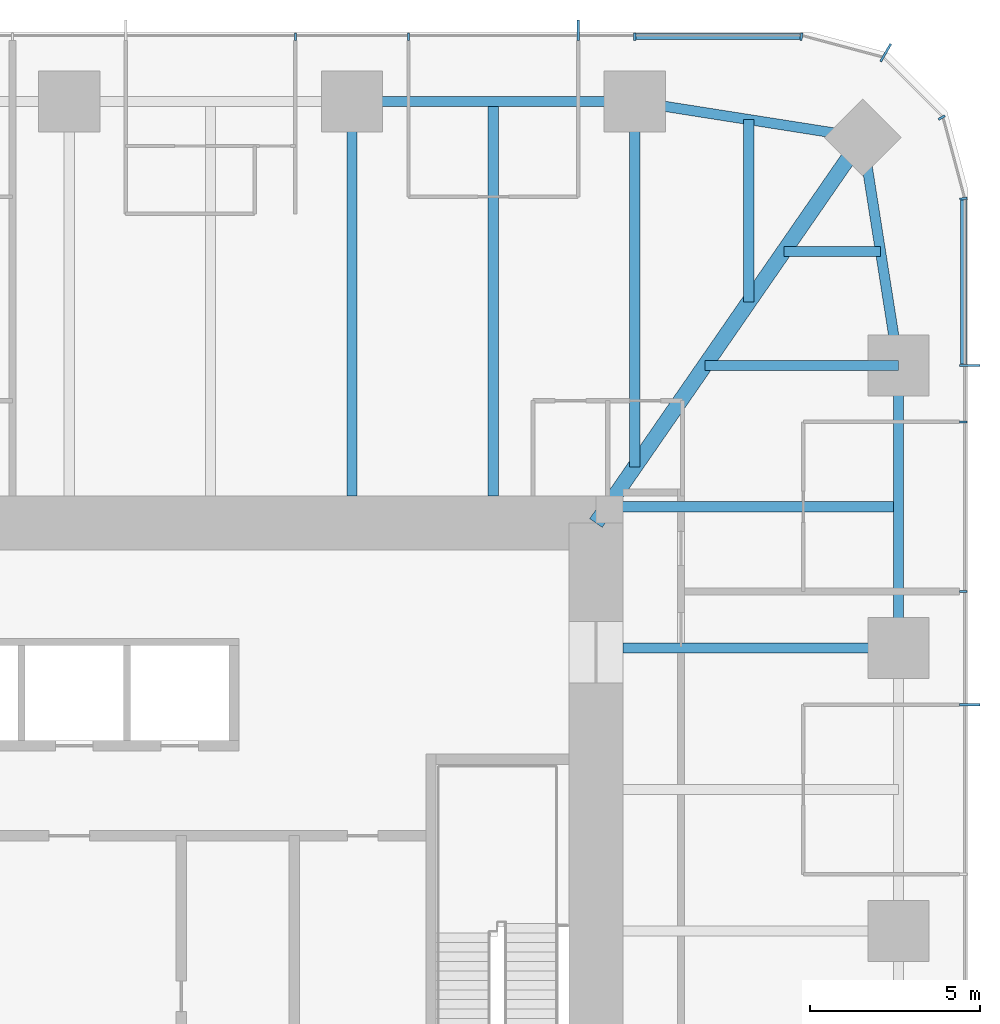
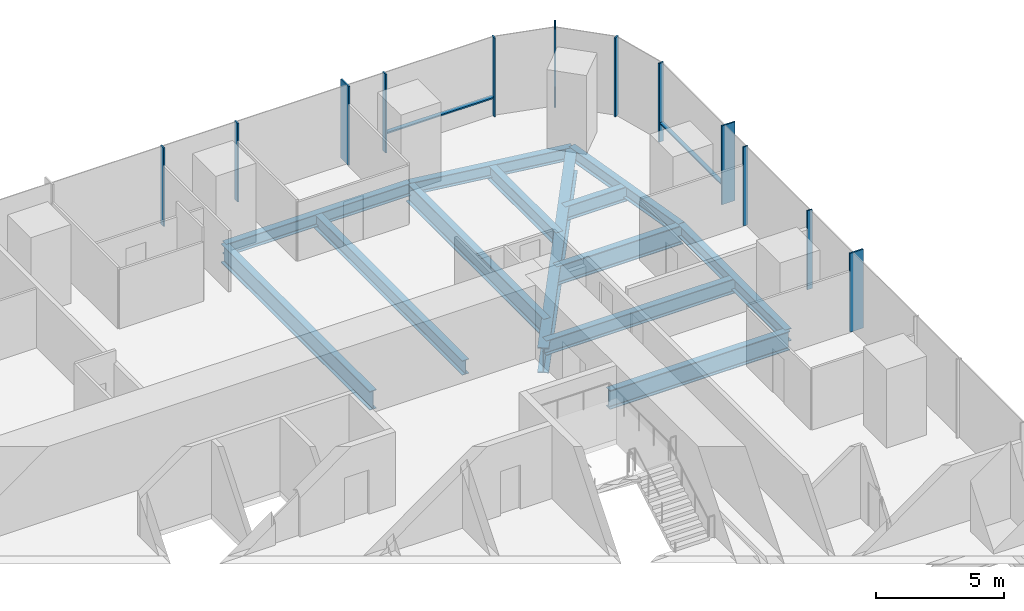
# One storey, part 6 of 12: 14 members, 13 beams, 3 elements without a shape of their own.
"""IFC4 building model written with IfcOpenShell, lengths in metres."""

from ifc_helpers import new_model, si_unit, direction, frame, origin, origin_2d, place, context, subcontext, project, spatial, rectangle, i_section, extrude, material, material_profile, profile_set, type_object, element, aggregate, save


model = new_model("IFC4")

# Units and contexts
model_context = context("Model", 3, precision=1e-05, world=origin(), true_north=direction((0.0, 1.0)))
body_context = subcontext(model_context, "Body", "Model", "MODEL_VIEW")
ifc_project = project(units=[si_unit("LENGTHUNIT", "METRE"), si_unit("AREAUNIT", "SQUARE_METRE"), si_unit("VOLUMEUNIT", "CUBIC_METRE"), si_unit("PLANEANGLEUNIT", "RADIAN"), si_unit("MASSUNIT", "GRAM", prefix="KILO")], contexts=[model_context])

# Site, building, storey
site_placement = place(None, origin())
site = spatial("IfcSite", under=ifc_project, at=site_placement, CompositionType="ELEMENT")
building_placement = place(site_placement, origin())
building = spatial("IfcBuilding", under=site, at=building_placement, Name="Khuree Lantern Residences", CompositionType="ELEMENT")
storey_placement = place(building_placement, frame((0.0, 0.0, 214.5)))
storey = spatial("IfcBuildingStorey", under=building, at=storey_placement, Name="L53", CompositionType="ELEMENT", Elevation=214.5)

# Beams
ifc_material_1 = material(Name="Steel S355", Category="steel")
ifc_material_profile_1 = material_profile(ifc_material_1, i_section(OverallWidth=0.300048828125, OverallDepth=0.68994140625, WebThickness=0.014404296875, FlangeThickness=0.027099609375, FilletRadius=0.027099609375, at=origin_2d()), Name="HE 700 A")
ifc_profile_set_1 = profile_set([ifc_material_profile_1], Name="Steel S355")
beam_type_1 = type_object("IfcBeamType", Name="B-32 SECONDARY BEAM HE 700 A", PredefinedType="BEAM", material=ifc_profile_set_1)
beam_1_placement = place(storey_placement, frame((12.47998046875, 24.39990234375, -0.594970703125), z_axis=(0.0, -1.0, 0.0), x_axis=(1.0, 0.0, 0.0)))
element("IfcBeam", 1, at=beam_1_placement, inside=storey, type_object=beam_type_1, Name="Secondary beam N4", PredefinedType="BEAM", context=body_context, shape_type="SweptSolid", body=[
    extrude(i_section(OverallWidth=0.300048828125, OverallDepth=0.68994140625, WebThickness=0.014404296875, FlangeThickness=0.027099609375, FilletRadius=0.027099609375, at=origin_2d()), origin(), (0.0, 0.0, 1.0), 11.599853515625),
])
beam_2_placement = place(storey_placement, frame((19.992919921875, 23.872802734375, -0.594970703125), z_axis=(0.0, -1.0, 0.0), x_axis=(1.0, 0.0, 0.0)))
element("IfcBeam", 2, at=beam_2_placement, inside=storey, type_object=beam_type_1, Name="Secondary beam N5", PredefinedType="BEAM", context=body_context, shape_type="SweptSolid", body=[
    extrude(i_section(OverallWidth=0.300048828125, OverallDepth=0.68994140625, WebThickness=0.014404296875, FlangeThickness=0.027099609375, FilletRadius=0.027099609375, at=origin_2d()), origin(), (0.0, 0.0, 1.0), 5.375732421875),
])
beam_3_placement = place(storey_placement, frame((23.872802734375, 19.992919921875, -0.594970703125), z_axis=(-1.0, 0.0, 0.0), x_axis=(0.0, -1.0, 0.0)))
element("IfcBeam", 3, at=beam_3_placement, inside=storey, type_object=beam_type_1, Name="Secondary beam E1", PredefinedType="BEAM", context=body_context, shape_type="SweptSolid", body=[
    extrude(i_section(OverallWidth=0.300048828125, OverallDepth=0.68994140625, WebThickness=0.014404296875, FlangeThickness=0.027099609375, FilletRadius=0.027099609375, at=origin_2d()), origin(), (0.0, 0.0, 1.0), 2.845703125),
])
beam_4_placement = place(storey_placement, frame((24.39990234375, 12.47998046875, -0.594970703125), z_axis=(-1.0, 0.0, 0.0), x_axis=(0.0, -1.0, 0.0)))
element("IfcBeam", 4, at=beam_4_placement, inside=storey, type_object=beam_type_1, Name="Secondary beam E2", PredefinedType="BEAM", context=body_context, shape_type="SweptSolid", body=[
    extrude(i_section(OverallWidth=0.300048828125, OverallDepth=0.68994140625, WebThickness=0.014404296875, FlangeThickness=0.027099609375, FilletRadius=0.027099609375, at=origin_2d()), origin(), (0.0, 0.0, 1.0), 8.56787109375),
])
ifc_material_profile_2 = material_profile(ifc_material_1, i_section(OverallWidth=0.300048828125, OverallDepth=0.590087890625, WebThickness=0.012939453125, FlangeThickness=0.02490234375, FilletRadius=0.027099609375, at=origin_2d()), Name="HE 600 A")
ifc_profile_set_2 = profile_set([ifc_material_profile_2], Name="Steel S355")
beam_type_2 = type_object("IfcBeamType", Name="E-32 SPANDREL BEAM HE 600 A", PredefinedType="SPANDREL", material=ifc_profile_set_2)
beam_5_placement = place(storey_placement, frame((8.320068359375, 24.39990234375, -0.544921875), z_axis=(1.0, 0.0, 0.0), x_axis=(0.0, 1.0, 0.0)))
element("IfcBeam", 5, at=beam_5_placement, inside=storey, type_object=beam_type_2, Name="Spandrel beam N4", PredefinedType="SPANDREL", context=body_context, shape_type="SweptSolid", body=[
    extrude(i_section(OverallWidth=0.300048828125, OverallDepth=0.590087890625, WebThickness=0.012939453125, FlangeThickness=0.02490234375, FilletRadius=0.027099609375, at=origin_2d()), origin(), (0.0, 0.0, 1.0), 8.31982421875),
])
for number, where, z_axis, x_axis, name in (
    (6, (16.639892578125, 24.39990234375, -0.544921875), (0.98786743189, -0.155299507442, 0.0), (0.155299507442, 0.98786743189, 0.0), "Spandrel beam N5"),
    (7, (23.345703125, 23.345703125, -0.544921875), (0.155299507442, -0.98786743189, 0.0), (0.98786743189, 0.155299507442, 0.0), "Spandrel beam E1"),
):
    element("IfcBeam", number, at=place(storey_placement, frame(where, z_axis=z_axis, x_axis=x_axis)), inside=storey, type_object=beam_type_2, Name=name, PredefinedType="SPANDREL", context=body_context, shape_type="SweptSolid", body=[
        extrude(i_section(OverallWidth=0.300048828125, OverallDepth=0.590087890625, WebThickness=0.012939453125, FlangeThickness=0.02490234375, FilletRadius=0.027099609375, at=origin_2d()), origin(), (0.0, 0.0, 1.0), 6.7880859375),
    ])
beam_6_placement = place(storey_placement, frame((24.39990234375, 16.639892578125, -0.544921875), z_axis=(0.0, -1.0, 0.0), x_axis=(1.0, 0.0, 0.0)))
element("IfcBeam", 8, at=beam_6_placement, inside=storey, type_object=beam_type_2, Name="Spandrel beam E2", PredefinedType="SPANDREL", context=body_context, shape_type="SweptSolid", body=[
    extrude(i_section(OverallWidth=0.300048828125, OverallDepth=0.590087890625, WebThickness=0.012939453125, FlangeThickness=0.02490234375, FilletRadius=0.027099609375, at=origin_2d()), origin(), (0.0, 0.0, 1.0), 8.31982421875),
])

# Curtain wall, members
ifc_material_2 = material(Name="Bronze anodised aluminium", Category="aluminium")
curtain_wall_type_1 = type_object("IfcCurtainWallType", Name="CW-T1 TOWER FACE CURTAIN WALL", PredefinedType="USERDEFINED", material=ifc_material_2)
curtain_wall_1_placement = place(storey_placement, origin())
curtain_wall_1 = element("IfcCurtainWall", 9, at=curtain_wall_1_placement, inside=storey, type_object=curtain_wall_type_1, Name="L53 EAST FACE CURTAIN WALL", ObjectType="Stick-built curtain wall", PredefinedType="USERDEFINED")
ifc_material_profile_3 = material_profile(ifc_material_2, rectangle(XDim=0.06494140625, YDim=0.60009765625, at=origin_2d()), Name="F1 65X600")
ifc_profile_set_3 = profile_set([ifc_material_profile_3], Name="Bronze anodised aluminium")
member_type_1 = type_object("IfcMemberType", Name="F1 BRONZE FIN MULLION TOWER 65X600", PredefinedType="MULLION", material=ifc_profile_set_3)
member_1_placement = place(storey_placement, frame((26.5, 6.656005859375, 0.0), z_axis=(0.0, 0.0, 1.0), x_axis=(0.0, 1.0, 0.0)))
member_1 = element("IfcMember", 10, at=member_1_placement, type_object=member_type_1, Name="L53 EAST FACE FIN MULLION 11", PredefinedType="MULLION", context=body_context, shape_type="SweptSolid", body=[
    extrude(rectangle(XDim=0.06494140625, YDim=0.60009765625, at=origin_2d()), origin(), (0.0, 0.0, 1.0), 3.75),
])
member_2_placement = place(storey_placement, frame((26.5, 16.639892578125, 0.0), z_axis=(0.0, 0.0, 1.0), x_axis=(0.0, 1.0, 0.0)))
member_2 = element("IfcMember", 11, at=member_2_placement, type_object=member_type_1, Name="L53 EAST FACE FIN MULLION 14", PredefinedType="MULLION", context=body_context, shape_type="SweptSolid", body=[
    extrude(rectangle(XDim=0.06494140625, YDim=0.60009765625, at=origin_2d()), origin(), (0.0, 0.0, 1.0), 3.75),
])

# Curtain wall, member
curtain_wall_type_2 = type_object("IfcCurtainWallType", Name="CW-T2 TOWER CORNER CURTAIN WALL", PredefinedType="USERDEFINED", material=ifc_material_2)
curtain_wall_2_placement = place(storey_placement, origin())
curtain_wall_2 = element("IfcCurtainWall", 12, at=curtain_wall_2_placement, inside=storey, type_object=curtain_wall_type_2, Name="L53 NORTH-EAST CORNER CURTAIN WALL", ObjectType="Faceted corner curtain wall", PredefinedType="USERDEFINED")
member_3_placement = place(storey_placement, frame((24.02490234375, 25.8369140625, 0.0), z_axis=(0.0, 0.0, 1.0), x_axis=(-0.866025409797, 0.499999989586, 0.0)))
member_3 = element("IfcMember", 13, at=member_3_placement, type_object=member_type_1, Name="L53 NORTH-EAST CORNER FIN MULLION 17", PredefinedType="MULLION", context=body_context, shape_type="SweptSolid", body=[
    extrude(rectangle(XDim=0.06494140625, YDim=0.60009765625, at=origin_2d()), origin(), (0.0, 0.0, 1.0), 3.75),
])

curtain_wall_3_placement = place(storey_placement, origin())
curtain_wall_3 = element("IfcCurtainWall", 14, at=curtain_wall_3_placement, inside=storey, type_object=curtain_wall_type_1, Name="L53 NORTH FACE CURTAIN WALL", ObjectType="Stick-built curtain wall", PredefinedType="USERDEFINED")
member_4_placement = place(storey_placement, frame((14.97607421875, 26.5, 0.0), z_axis=(0.0, 0.0, 1.0), x_axis=(-1.0, 0.0, 0.0)))
member_4 = element("IfcMember", 15, at=member_4_placement, type_object=member_type_1, Name="L53 NORTH FACE FIN MULLION 20", PredefinedType="MULLION", context=body_context, shape_type="SweptSolid", body=[
    extrude(rectangle(XDim=0.06494140625, YDim=0.60009765625, at=origin_2d()), origin(), (0.0, 0.0, 1.0), 3.75),
])

# Beams
ifc_material_profile_4 = material_profile(ifc_material_1, i_section(OverallWidth=0.300048828125, OverallDepth=0.89990234375, WebThickness=0.0185546875, FlangeThickness=0.034912109375, FilletRadius=0.030029296875, at=origin_2d()), Name="HE 900 B")
ifc_profile_set_4 = profile_set([ifc_material_profile_4], Name="Steel S355")
beam_type_3 = type_object("IfcBeamType", Name="G-32 GIRDER HE 900 B", PredefinedType="BEAM", material=ifc_profile_set_4)
beam_7_placement = place(storey_placement, frame((8.320068359375, 24.39990234375, -0.699951171875), z_axis=(0.0, -1.0, 0.0), x_axis=(1.0, 0.0, 0.0)))
element("IfcBeam", 16, at=beam_7_placement, inside=storey, type_object=beam_type_3, Name="Girder N4", PredefinedType="BEAM", context=body_context, shape_type="SweptSolid", body=[
    extrude(i_section(OverallWidth=0.300048828125, OverallDepth=0.89990234375, WebThickness=0.0185546875, FlangeThickness=0.034912109375, FilletRadius=0.030029296875, at=origin_2d()), origin(), (0.0, 0.0, 1.0), 11.599853515625),
])
beam_8_placement = place(storey_placement, frame((16.639892578125, 24.39990234375, -0.699951171875), z_axis=(0.0, -1.0, 0.0), x_axis=(1.0, 0.0, 0.0)))
element("IfcBeam", 17, at=beam_8_placement, inside=storey, type_object=beam_type_3, Name="Girder N5", PredefinedType="BEAM", context=body_context, shape_type="SweptSolid", body=[
    extrude(i_section(OverallWidth=0.300048828125, OverallDepth=0.89990234375, WebThickness=0.0185546875, FlangeThickness=0.034912109375, FilletRadius=0.030029296875, at=origin_2d()), origin(), (0.0, 0.0, 1.0), 10.751220703125),
])
beam_9_placement = place(storey_placement, frame((24.39990234375, 16.639892578125, -0.699951171875), z_axis=(-1.0, 0.0, 0.0), x_axis=(0.0, -1.0, 0.0)))
element("IfcBeam", 18, at=beam_9_placement, inside=storey, type_object=beam_type_3, Name="Girder E1", PredefinedType="BEAM", context=body_context, shape_type="SweptSolid", body=[
    extrude(i_section(OverallWidth=0.300048828125, OverallDepth=0.89990234375, WebThickness=0.0185546875, FlangeThickness=0.034912109375, FilletRadius=0.030029296875, at=origin_2d()), origin(), (0.0, 0.0, 1.0), 5.69140625),
])
beam_10_placement = place(storey_placement, frame((24.39990234375, 8.320068359375, -0.699951171875), z_axis=(-1.0, 0.0, 0.0), x_axis=(0.0, -1.0, 0.0)))
element("IfcBeam", 19, at=beam_10_placement, inside=storey, type_object=beam_type_3, Name="Girder E2", PredefinedType="BEAM", context=body_context, shape_type="SweptSolid", body=[
    extrude(i_section(OverallWidth=0.300048828125, OverallDepth=0.89990234375, WebThickness=0.0185546875, FlangeThickness=0.034912109375, FilletRadius=0.030029296875, at=origin_2d()), origin(), (0.0, 0.0, 1.0), 8.099853515625),
])
ifc_material_profile_5 = material_profile(ifc_material_1, i_section(OverallWidth=0.449951171875, OverallDepth=1.199951171875, WebThickness=0.02490234375, FlangeThickness=0.044921875, at=origin_2d()), Name="WELDED I 1200X450X25X45")
ifc_profile_set_5 = profile_set([ifc_material_profile_5], Name="Steel S355")
beam_type_4 = type_object("IfcBeamType", Name="GD-32 CORNER GIRDER WELDED I 1200X450X25X45", PredefinedType="BEAM", material=ifc_profile_set_5)
beam_11_placement = place(storey_placement, frame((23.345703125, 23.345703125, -0.85009765625), z_axis=(-0.56876813501, -0.822497907959, 0.0), x_axis=(0.822497907959, -0.56876813501, 0.0)))
element("IfcBeam", 20, at=beam_11_placement, inside=storey, type_object=beam_type_4, Name="Corner girder NE", PredefinedType="BEAM", context=body_context, shape_type="SweptSolid", body=[
    extrude(i_section(OverallWidth=0.449951171875, OverallDepth=1.199951171875, WebThickness=0.02490234375, FlangeThickness=0.044921875, at=origin_2d()), origin(), (0.0, 0.0, 1.0), 13.794189453125),
])

# Member
ifc_material_profile_6 = material_profile(ifc_material_2, rectangle(XDim=0.06494140625, YDim=0.219970703125, at=origin_2d()), Name="M1 65X220")
ifc_profile_set_6 = profile_set([ifc_material_profile_6], Name="Bronze anodised aluminium")
member_type_2 = type_object("IfcMemberType", Name="M1 BRONZE MULLION TOWER 65X220", PredefinedType="MULLION", material=ifc_profile_set_6)
member_5_placement = place(storey_placement, frame((26.31005859375, 9.98388671875, 0.0), z_axis=(0.0, 0.0, 1.0), x_axis=(0.0, 1.0, 0.0)))
member_5 = element("IfcMember", 21, at=member_5_placement, type_object=member_type_2, Name="L53 EAST FACE MULLION 12", PredefinedType="MULLION", context=body_context, shape_type="SweptSolid", body=[
    extrude(rectangle(XDim=0.06494140625, YDim=0.219970703125, at=origin_2d()), origin(), (0.0, 0.0, 1.0), 3.75),
])

member_6_placement = place(storey_placement, frame((26.31005859375, 14.97607421875, 0.0), z_axis=(0.0, 0.0, 1.0), x_axis=(0.0, 1.0, 0.0)))
member_6 = element("IfcMember", 22, at=member_6_placement, type_object=member_type_2, Name="L53 EAST FACE MULLION 13", PredefinedType="MULLION", context=body_context, shape_type="SweptSolid", body=[
    extrude(rectangle(XDim=0.06494140625, YDim=0.219970703125, at=origin_2d()), origin(), (0.0, 0.0, 1.0), 3.75),
])

member_7_placement = place(storey_placement, frame((26.311767578125, 21.544921875, 0.0), z_axis=(0.0, 0.0, 1.0), x_axis=(-0.130526180298, 0.991444862943, 0.0)))
member_7 = element("IfcMember", 23, at=member_7_placement, type_object=member_type_2, Name="L53 NORTH-EAST CORNER MULLION 15", PredefinedType="MULLION", context=body_context, shape_type="SweptSolid", body=[
    extrude(rectangle(XDim=0.06494140625, YDim=0.219970703125, at=origin_2d()), origin(), (0.0, 0.0, 1.0), 3.75),
])

member_8_placement = place(storey_placement, frame((25.67236328125, 23.929931640625, 0.0), z_axis=(0.0, 0.0, 1.0), x_axis=(-0.499999989586, 0.866025409797, 0.0)))
member_8 = element("IfcMember", 24, at=member_8_placement, type_object=member_type_2, Name="L53 NORTH-EAST CORNER MULLION 16", PredefinedType="MULLION", context=body_context, shape_type="SweptSolid", body=[
    extrude(rectangle(XDim=0.06494140625, YDim=0.219970703125, at=origin_2d()), origin(), (0.0, 0.0, 1.0), 3.75),
])

aggregate(curtain_wall_2, [member_7, member_8, member_3])

member_9_placement = place(storey_placement, frame((21.544921875, 26.311767578125, 0.0), z_axis=(0.0, 0.0, 1.0), x_axis=(-0.991444862943, 0.130526180298, 0.0)))
member_9 = element("IfcMember", 25, at=member_9_placement, type_object=member_type_2, Name="L53 NORTH FACE MULLION 18", PredefinedType="MULLION", context=body_context, shape_type="SweptSolid", body=[
    extrude(rectangle(XDim=0.06494140625, YDim=0.219970703125, at=origin_2d()), origin(), (0.0, 0.0, 1.0), 3.75),
])

member_10_placement = place(storey_placement, frame((16.639892578125, 26.31005859375, 0.0), z_axis=(0.0, 0.0, 1.0), x_axis=(-1.0, 0.0, 0.0)))
member_10 = element("IfcMember", 26, at=member_10_placement, type_object=member_type_2, Name="L53 NORTH FACE MULLION 19", PredefinedType="MULLION", context=body_context, shape_type="SweptSolid", body=[
    extrude(rectangle(XDim=0.06494140625, YDim=0.219970703125, at=origin_2d()), origin(), (0.0, 0.0, 1.0), 3.75),
])

member_11_placement = place(storey_placement, frame((9.98388671875, 26.31005859375, 0.0), z_axis=(0.0, 0.0, 1.0), x_axis=(-1.0, 0.0, 0.0)))
member_11 = element("IfcMember", 27, at=member_11_placement, type_object=member_type_2, Name="L53 NORTH FACE MULLION 21", PredefinedType="MULLION", context=body_context, shape_type="SweptSolid", body=[
    extrude(rectangle(XDim=0.06494140625, YDim=0.219970703125, at=origin_2d()), origin(), (0.0, 0.0, 1.0), 3.75),
])

member_12_placement = place(storey_placement, frame((6.656005859375, 26.31005859375, 0.0), z_axis=(0.0, 0.0, 1.0), x_axis=(-1.0, 0.0, 0.0)))
member_12 = element("IfcMember", 28, at=member_12_placement, type_object=member_type_2, Name="L53 NORTH FACE MULLION 22", PredefinedType="MULLION", context=body_context, shape_type="SweptSolid", body=[
    extrude(rectangle(XDim=0.06494140625, YDim=0.219970703125, at=origin_2d()), origin(), (0.0, 0.0, 1.0), 3.75),
])

ifc_material_profile_7 = material_profile(ifc_material_2, rectangle(XDim=0.179931640625, YDim=0.06494140625, at=origin_2d()), Name="T1 180X65")
ifc_profile_set_7 = profile_set([ifc_material_profile_7], Name="Bronze anodised aluminium")
member_type_3 = type_object("IfcMemberType", Name="TRANSOM T1 TOWER 180X65", PredefinedType="USERDEFINED", material=ifc_profile_set_7)
member_13_placement = place(storey_placement, frame((26.320068359375, 16.672607421875, 0.89990234375), z_axis=(0.0, 1.0, 0.0), x_axis=(-1.0, 0.0, 0.0)))
member_13 = element("IfcMember", 29, at=member_13_placement, type_object=member_type_3, Name="L53 EAST FACE TRANSOM 14.1", ObjectType="Transom", PredefinedType="USERDEFINED", context=body_context, shape_type="SweptSolid", body=[
    extrude(rectangle(XDim=0.179931640625, YDim=0.06494140625, at=origin_2d()), origin(), (0.0, 0.0, 1.0), 4.828857421875),
])

aggregate(curtain_wall_1, [member_1, member_5, member_6, member_2, member_13])

member_14_placement = place(storey_placement, frame((21.50146484375, 26.320068359375, 0.89990234375), z_axis=(-1.0, 0.0, 0.0), x_axis=(0.0, -1.0, 0.0)))
member_14 = element("IfcMember", 30, at=member_14_placement, type_object=member_type_3, Name="L53 NORTH FACE TRANSOM 18.1", ObjectType="Transom", PredefinedType="USERDEFINED", context=body_context, shape_type="SweptSolid", body=[
    extrude(rectangle(XDim=0.179931640625, YDim=0.06494140625, at=origin_2d()), origin(), (0.0, 0.0, 1.0), 4.828857421875),
])

aggregate(curtain_wall_3, [member_9, member_10, member_4, member_11, member_12, member_14])

save(model, "model.ifc")
